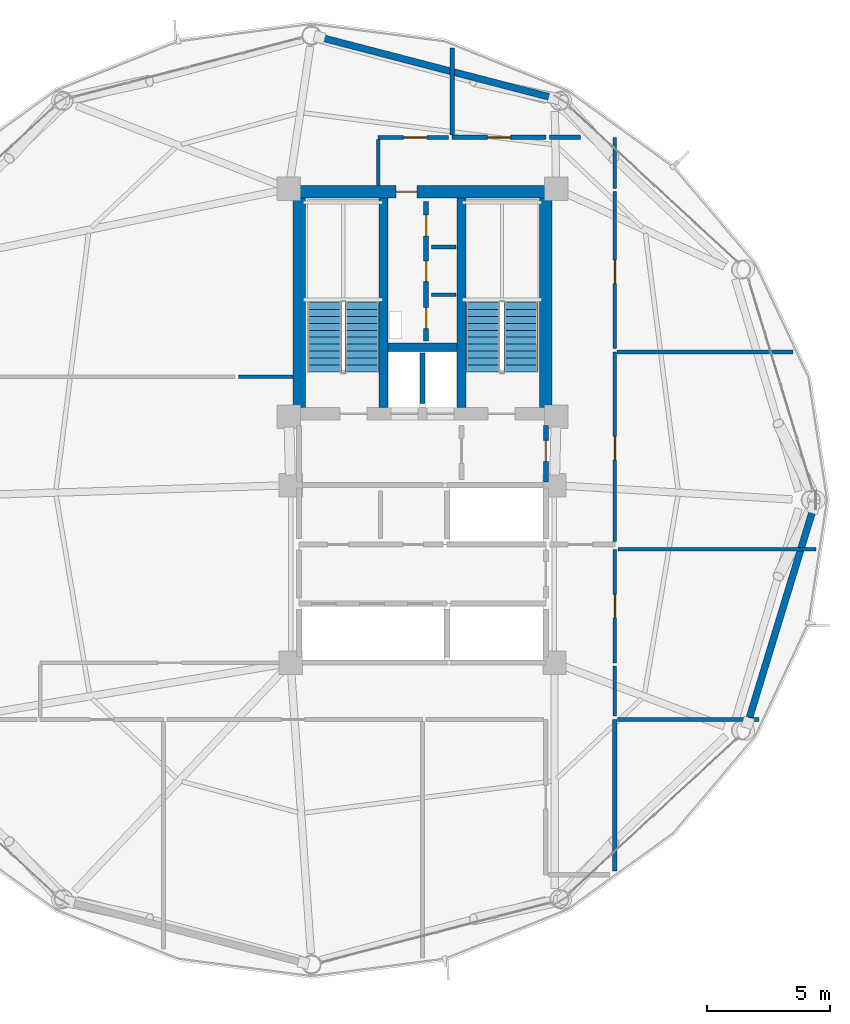
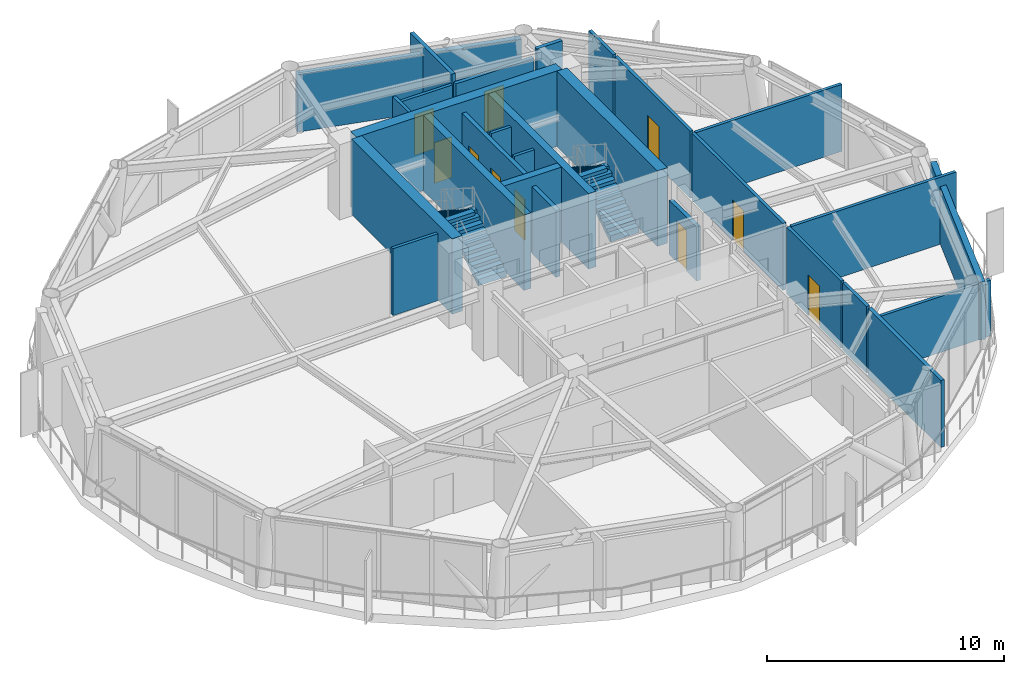
# One storey, part 22 of 26: 28 walls, 10 doors, 4 stair flights, 10 openings, 2 elements without a shape of their own.
"""IFC4 building model written with IfcOpenShell, lengths in metres."""

from ifc_helpers import new_model, si_unit, direction, frame, frame_2d, origin, place, context, subcontext, project, spatial, polyline, rectangle, outline, extrude, material, layer, layer_set, type_object, element, fill, aggregate, save


model = new_model("IFC4")

# Units and contexts
model_context = context("Model", 3, precision=1e-05, world=origin(), true_north=direction((0.0, 1.0)))
body_context = subcontext(model_context, "Body", "Model", "MODEL_VIEW")
ifc_project = project(units=[si_unit("LENGTHUNIT", "METRE"), si_unit("AREAUNIT", "SQUARE_METRE"), si_unit("VOLUMEUNIT", "CUBIC_METRE"), si_unit("PLANEANGLEUNIT", "RADIAN"), si_unit("MASSUNIT", "GRAM", prefix="KILO")], contexts=[model_context])

# Site, building, storey
site_placement = place(None, origin())
site = spatial("IfcSite", under=ifc_project, at=site_placement, CompositionType="ELEMENT")
building_placement = place(site_placement, origin())
building = spatial("IfcBuilding", under=site, at=building_placement, Name="Varnakorn Sky Granary", CompositionType="ELEMENT")
storey_placement = place(building_placement, frame((0.0, 0.0, 169.5)))
storey = spatial("IfcBuildingStorey", under=building, at=storey_placement, Name="L42", CompositionType="ELEMENT", Elevation=169.5)

# Walls
ifc_material_1 = material(Name="Concrete C50/60", Category="concrete")
ifc_layer_1 = layer(ifc_material_1, 0.35009765625, Name="Concrete C50/60")
ifc_layer_set_1 = layer_set([ifc_layer_1], Name="Concrete C50/60")
wall_type_1 = type_object("IfcWallType", Name="WT-CW-INT-350", PredefinedType="SHEAR", material=ifc_layer_set_1)
for number, where, z_axis, x_axis, name in (
    (1, (1.419921875, 3.760009765625, 0.0), (0.0, 0.0, 1.0), (0.0, 1.0, 0.0), "Stair ST-1 Core Wall L42"),
    (2, (4.580078125, 3.760009765625, 0.0), (0.0, 0.0, 1.0), (0.0, 1.0, 0.0), "Stair ST-2 Core Wall L42"),
):
    element("IfcWall", number, at=place(storey_placement, frame(where, z_axis=z_axis, x_axis=x_axis)), inside=storey, type_object=wall_type_1, Name=name, PredefinedType="SHEAR", context=body_context, shape_type="SweptSolid", body=[
        extrude(rectangle(XDim=8.47998046875, YDim=0.35009765625, at=frame_2d((4.239990234375, 0.0))), origin(), (0.0, 0.0, 1.0), 3.89208984375),
    ])
wall_1_placement = place(storey_placement, frame((1.610107421875, 6.199951171875, 0.0), z_axis=(0.0, 0.0, 1.0), x_axis=(1.0, 0.0, 0.0)))
element("IfcWall", 3, at=wall_1_placement, inside=storey, type_object=wall_type_1, Name="Core Lift Shaft Cross Wall L42", PredefinedType="SHEAR", context=body_context, shape_type="SweptSolid", body=[
    extrude(rectangle(XDim=2.77978515625, YDim=0.35009765625, at=frame_2d((1.389892578125, 0.0))), origin(), (0.0, 0.0, 1.0), 3.89208984375),
])

# Wall, opening, door
ifc_material_2 = material(Name="Concrete C60/75", Category="concrete")
ifc_layer_2 = layer(ifc_material_2, 0.5, Name="Concrete C60/75")
ifc_layer_set_2 = layer_set([ifc_layer_2], Name="Concrete C60/75")
wall_type_2 = type_object("IfcWallType", Name="WT-CW-SHEAR-500", PredefinedType="SHEAR", material=ifc_layer_set_2)
wall_2_placement = place(storey_placement, frame((-2.0, 12.5, 0.0), z_axis=(0.0, 0.0, 1.0), x_axis=(1.0, 0.0, 0.0)))
wall_2 = element("IfcWall", 4, at=wall_2_placement, inside=storey, type_object=wall_type_2, Name="Core North Shear Wall L42", PredefinedType="SHEAR", context=body_context, shape_type="SweptSolid", body=[
    extrude(rectangle(XDim=10.0, YDim=0.5, at=frame_2d((5.0, 0.0))), origin(), (0.0, 0.0, 1.0), 3.89208984375),
])
opening_1_placement = place(wall_2_placement, frame((3.919921875, 0.0, 0.0)))
opening_1 = element("IfcOpeningElement", 5, at=opening_1_placement, cuts=wall_2, Name="Opening FD-60N", PredefinedType="OPENING", context=body_context, shape_type="SweptSolid", body=[
    extrude(rectangle(XDim=0.85009765625, YDim=2.10009765625, at=frame_2d((0.425048828125, 1.050048828125))), frame((0.0, 0.260009765625, 0.0), z_axis=(0.0, -1.0, 0.0), x_axis=(1.0, 0.0, 0.0)), (0.0, 0.0, 1.0), 0.52001953125),
])
ifc_material_3 = material(Name="Acoustic Timber Fire Leaf", Category="wood")
door_type_1 = type_object("IfcDoorType", Name="DR-FD60-850", OperationType="NOTDEFINED", PredefinedType="DOOR", material=ifc_material_3)
door_1_placement = place(opening_1_placement, origin())
door_1 = element("IfcDoor", 6, at=door_1_placement, inside=storey, type_object=door_type_1, Name="Core North Service Door L42", OperationType="SINGLE_SWING_RIGHT", OverallHeight=2.10009765625, OverallWidth=0.85009765625, PredefinedType="DOOR", context=body_context, shape_type="SweptSolid", body=[
    extrude(rectangle(XDim=0.85009765625, YDim=2.10009765625, at=frame_2d((0.425048828125, 1.050048828125))), frame((0.0, 0.02490234375, 0.0), z_axis=(0.0, -1.0, 0.0), x_axis=(1.0, 0.0, 0.0)), (0.0, 0.0, 1.0), 0.050048828125),
])
fill(opening_1, door_1)

# Walls
for number, where, z_axis, x_axis, name in (
    (7, (-2.0, 3.760009765625, 0.0), (0.0, 0.0, 1.0), (0.0, 1.0, 0.0), "Core West Shear Wall L42"),
    (8, (8.0, 3.760009765625, 0.0), (0.0, 0.0, 1.0), (0.0, 1.0, 0.0), "Core East Shear Wall L42"),
):
    element("IfcWall", number, at=place(storey_placement, frame(where, z_axis=z_axis, x_axis=x_axis)), inside=storey, type_object=wall_type_2, Name=name, PredefinedType="SHEAR", context=body_context, shape_type="SweptSolid", body=[
        extrude(rectangle(XDim=8.47998046875, YDim=0.5, at=frame_2d((4.239990234375, 0.0))), origin(), (0.0, 0.0, 1.0), 3.89208984375),
    ])
ifc_material_4 = material(Name="Precast concrete C40/50", Category="concrete")
ifc_layer_3 = layer(ifc_material_4, 0.280029296875, Name="Precast concrete C40/50")
ifc_layer_set_3 = layer_set([ifc_layer_3], Name="Precast concrete C40/50")
wall_type_3 = type_object("IfcWallType", Name="WT-EW-CRN-280", PredefinedType="SOLIDWALL", material=ifc_layer_set_3)
wall_3_placement = place(storey_placement, frame((-1.1748046875, 18.765380859375, 0.0), z_axis=(0.0, 0.0, 1.0), x_axis=(0.96779017815, -0.2517581599, 0.0)))
element("IfcWall", 9, at=wall_3_placement, inside=storey, type_object=wall_type_3, Name="Agritech Insulated Precast Facade Wall L42-P03", PredefinedType="SOLIDWALL", context=body_context, shape_type="SweptSolid", body=[
    extrude(rectangle(XDim=9.823486328125, YDim=0.280029296875, at=frame_2d((4.91162109375, 0.0))), origin(), (0.0, 0.0, 1.0), 2.969970703125),
])
wall_4_placement = place(storey_placement, frame((18.851806640625, -0.3212890625, 0.0), z_axis=(0.0, 0.0, 1.0), x_axis=(-0.291970745692, -0.956427249539, 0.0)))
element("IfcWall", 10, at=wall_4_placement, inside=storey, type_object=wall_type_3, Name="Agritech Insulated Precast Facade Wall L42-P12", PredefinedType="SOLIDWALL", context=body_context, shape_type="SweptSolid", body=[
    extrude(rectangle(XDim=9.11181640625, YDim=0.280029296875, at=frame_2d((4.555908203125, 0.0))), origin(), (0.0, 0.0, 1.0), 2.969970703125),
])

# Wall, openings, doors
ifc_material_5 = material(Name="Autoclaved Aerated Concrete Blockwork", Category="masonry")
ifc_layer_4 = layer(ifc_material_5, 0.199951171875, Name="Autoclaved Aerated Concrete Blockwork")
ifc_layer_set_4 = layer_set([ifc_layer_4], Name="Autoclaved Aerated Concrete Blockwork")
wall_type_4 = type_object("IfcWallType", Name="WT-FIRE-200", PredefinedType="MOVABLE", material=ifc_layer_set_4)
wall_5_placement = place(storey_placement, frame((3.14990234375, 6.449951171875, 0.0), z_axis=(0.0, 0.0, 1.0), x_axis=(0.0, 1.0, 0.0)))
wall_5 = element("IfcWall", 11, at=wall_5_placement, inside=storey, type_object=wall_type_4, Name="Interior Partition Wall L42-013", PredefinedType="MOVABLE", context=body_context, shape_type="SweptSolid", body=[
    extrude(rectangle(XDim=5.650146484375, YDim=0.199951171875, at=frame_2d((2.8251953125, 0.0))), origin(), (0.0, 0.0, 1.0), 3.449951171875),
])
opening_2_placement = place(wall_5_placement, frame((0.5, 0.0, 0.0)))
opening_2 = element("IfcOpeningElement", 12, at=opening_2_placement, cuts=wall_5, Name="Opening FD-60N", PredefinedType="OPENING", context=body_context, shape_type="SweptSolid", body=[
    extrude(rectangle(XDim=0.85009765625, YDim=2.10009765625, at=frame_2d((0.425048828125, 1.050048828125))), frame((0.0, 0.10986328125, 0.0), z_axis=(0.0, -1.0, 0.0), x_axis=(1.0, 0.0, 0.0)), (0.0, 0.0, 1.0), 0.219970703125),
])
opening_3_placement = place(wall_5_placement, frame((2.39990234375, 0.0, 0.0)))
opening_3 = element("IfcOpeningElement", 13, at=opening_3_placement, cuts=wall_5, Name="Opening FD-60N", PredefinedType="OPENING", context=body_context, shape_type="SweptSolid", body=[
    extrude(rectangle(XDim=0.85009765625, YDim=2.10009765625, at=frame_2d((0.425048828125, 1.050048828125))), frame((0.0, 0.10986328125, 0.0), z_axis=(0.0, -1.0, 0.0), x_axis=(1.0, 0.0, 0.0)), (0.0, 0.0, 1.0), 0.219970703125),
])
opening_4_placement = place(wall_5_placement, frame((4.25, 0.0, 0.0)))
opening_4 = element("IfcOpeningElement", 14, at=opening_4_placement, cuts=wall_5, Name="Opening FD-60N", PredefinedType="OPENING", context=body_context, shape_type="SweptSolid", body=[
    extrude(rectangle(XDim=0.85009765625, YDim=2.10009765625, at=frame_2d((0.425048828125, 1.050048828125))), frame((0.0, 0.10986328125, 0.0), z_axis=(0.0, -1.0, 0.0), x_axis=(1.0, 0.0, 0.0)), (0.0, 0.0, 1.0), 0.219970703125),
])
door_2_placement = place(opening_2_placement, origin())
door_2 = element("IfcDoor", 15, at=door_2_placement, inside=storey, type_object=door_type_1, Name="Interior Door L42-013-1", OperationType="SINGLE_SWING_RIGHT", OverallHeight=2.10009765625, OverallWidth=0.85009765625, PredefinedType="DOOR", context=body_context, shape_type="SweptSolid", body=[
    extrude(rectangle(XDim=0.85009765625, YDim=2.10009765625, at=frame_2d((0.425048828125, 1.050048828125))), frame((0.0, 0.02490234375, 0.0), z_axis=(0.0, -1.0, 0.0), x_axis=(1.0, 0.0, 0.0)), (0.0, 0.0, 1.0), 0.050048828125),
])
fill(opening_2, door_2)
door_3_placement = place(opening_3_placement, origin())
door_3 = element("IfcDoor", 16, at=door_3_placement, inside=storey, type_object=door_type_1, Name="Interior Door L42-013-2", OperationType="SINGLE_SWING_LEFT", OverallHeight=2.10009765625, OverallWidth=0.85009765625, PredefinedType="DOOR", context=body_context, shape_type="SweptSolid", body=[
    extrude(rectangle(XDim=0.85009765625, YDim=2.10009765625, at=frame_2d((0.425048828125, 1.050048828125))), frame((0.0, 0.02490234375, 0.0), z_axis=(0.0, -1.0, 0.0), x_axis=(1.0, 0.0, 0.0)), (0.0, 0.0, 1.0), 0.050048828125),
])
fill(opening_3, door_3)
door_4_placement = place(opening_4_placement, origin())
door_4 = element("IfcDoor", 17, at=door_4_placement, inside=storey, type_object=door_type_1, Name="Interior Door L42-013-3", OperationType="SINGLE_SWING_RIGHT", OverallHeight=2.10009765625, OverallWidth=0.85009765625, PredefinedType="DOOR", context=body_context, shape_type="SweptSolid", body=[
    extrude(rectangle(XDim=0.85009765625, YDim=2.10009765625, at=frame_2d((0.425048828125, 1.050048828125))), frame((0.0, 0.02490234375, 0.0), z_axis=(0.0, -1.0, 0.0), x_axis=(1.0, 0.0, 0.0)), (0.0, 0.0, 1.0), 0.050048828125),
])
fill(opening_4, door_4)

# Wall, opening, door
wall_6_placement = place(storey_placement, frame((8.0, 0.719970703125, 0.0), z_axis=(0.0, 0.0, 1.0), x_axis=(0.0, 1.0, 0.0)))
wall_6 = element("IfcWall", 18, at=wall_6_placement, inside=storey, type_object=wall_type_4, Name="Interior Partition Wall L42-015", PredefinedType="MOVABLE", context=body_context, shape_type="SweptSolid", body=[
    extrude(rectangle(XDim=2.300048828125, YDim=0.199951171875, at=frame_2d((1.14990234375, 0.0))), origin(), (0.0, 0.0, 1.0), 2.781982421875),
])
opening_5_placement = place(wall_6_placement, frame((0.844970703125, 0.0, 0.0)))
opening_5 = element("IfcOpeningElement", 19, at=opening_5_placement, cuts=wall_6, Name="Opening FD-60N", PredefinedType="OPENING", context=body_context, shape_type="SweptSolid", body=[
    extrude(rectangle(XDim=0.85009765625, YDim=2.10009765625, at=frame_2d((0.425048828125, 1.050048828125))), frame((0.0, 0.10986328125, 0.0), z_axis=(0.0, -1.0, 0.0), x_axis=(1.0, 0.0, 0.0)), (0.0, 0.0, 1.0), 0.219970703125),
])
door_5_placement = place(opening_5_placement, origin())
door_5 = element("IfcDoor", 20, at=door_5_placement, inside=storey, type_object=door_type_1, Name="Interior Door L42-015-1", OperationType="SINGLE_SWING_RIGHT", OverallHeight=2.10009765625, OverallWidth=0.85009765625, PredefinedType="DOOR", context=body_context, shape_type="SweptSolid", body=[
    extrude(rectangle(XDim=0.85009765625, YDim=2.10009765625, at=frame_2d((0.425048828125, 1.050048828125))), frame((0.0, 0.02490234375, 0.0), z_axis=(0.0, -1.0, 0.0), x_axis=(1.0, 0.0, 0.0)), (0.0, 0.0, 1.0), 0.050048828125),
])
fill(opening_5, door_5)

ifc_material_6 = material(Name="Gypsum Plasterboard on Steel Stud", Category="steel")
ifc_layer_5 = layer(ifc_material_6, 0.14990234375, Name="Gypsum Plasterboard on Steel Stud")
ifc_layer_set_5 = layer_set([ifc_layer_5], Name="Gypsum Plasterboard on Steel Stud")
wall_type_5 = type_object("IfcWallType", Name="WT-PART-150", PredefinedType="PARTITIONING", material=ifc_layer_set_5)
wall_7_placement = place(storey_placement, frame((4.050048828125, 14.699951171875, 0.0), z_axis=(0.0, 0.0, 1.0), x_axis=(-1.0, 0.0, 0.0)))
wall_7 = element("IfcWall", 21, at=wall_7_placement, inside=storey, type_object=wall_type_5, Name="Interior Partition Wall L42-024", PredefinedType="PARTITIONING", context=body_context, shape_type="SweptSolid", body=[
    extrude(rectangle(XDim=2.85009765625, YDim=0.14990234375, at=frame_2d((1.425048828125, 0.0))), origin(), (0.0, 0.0, 1.0), 3.031982421875),
])
opening_6_placement = place(wall_7_placement, frame((0.875, 0.0, 0.0)))
opening_6 = element("IfcOpeningElement", 22, at=opening_6_placement, cuts=wall_7, Name="Opening ID-95", PredefinedType="OPENING", context=body_context, shape_type="SweptSolid", body=[
    extrude(rectangle(XDim=0.949951171875, YDim=2.10009765625, at=frame_2d((0.47509765625, 1.050048828125))), frame((0.0, 0.0849609375, 0.0), z_axis=(0.0, -1.0, 0.0), x_axis=(1.0, 0.0, 0.0)), (0.0, 0.0, 1.0), 0.169921875),
])
ifc_material_7 = material(Name="Solid-Core Teak Veneer Leaf", Category="timber")
door_type_2 = type_object("IfcDoorType", Name="DR-INT-950", OperationType="NOTDEFINED", PredefinedType="DOOR", material=ifc_material_7)
door_6_placement = place(opening_6_placement, origin())
door_6 = element("IfcDoor", 23, at=door_6_placement, inside=storey, type_object=door_type_2, Name="Interior Door L42-024-1", OperationType="SINGLE_SWING_RIGHT", OverallHeight=2.10009765625, OverallWidth=0.949951171875, PredefinedType="DOOR", context=body_context, shape_type="SweptSolid", body=[
    extrude(rectangle(XDim=0.949951171875, YDim=2.10009765625, at=frame_2d((0.47509765625, 1.050048828125))), frame((0.0, 0.02490234375, 0.0), z_axis=(0.0, -1.0, 0.0), x_axis=(1.0, 0.0, 0.0)), (0.0, 0.0, 1.0), 0.050048828125),
])
fill(opening_6, door_6)

wall_8_placement = place(storey_placement, frame((10.800048828125, -6.60009765625, 0.0), z_axis=(0.0, 0.0, 1.0), x_axis=(0.0, 1.0, 0.0)))
wall_8 = element("IfcWall", 24, at=wall_8_placement, inside=storey, type_object=wall_type_5, Name="Interior Partition Wall L42-025", PredefinedType="PARTITIONING", context=body_context, shape_type="SweptSolid", body=[
    extrude(rectangle(XDim=4.60009765625, YDim=0.14990234375, at=frame_2d((2.300048828125, 0.0))), origin(), (0.0, 0.0, 1.0), 3.449951171875),
])
opening_7_placement = place(wall_8_placement, frame((1.824951171875, 0.0, 0.0)))
opening_7 = element("IfcOpeningElement", 25, at=opening_7_placement, cuts=wall_8, Name="Opening ID-95", PredefinedType="OPENING", context=body_context, shape_type="SweptSolid", body=[
    extrude(rectangle(XDim=0.949951171875, YDim=2.10009765625, at=frame_2d((0.47509765625, 1.050048828125))), frame((0.0, 0.0849609375, 0.0), z_axis=(0.0, -1.0, 0.0), x_axis=(1.0, 0.0, 0.0)), (0.0, 0.0, 1.0), 0.169921875),
])
door_7_placement = place(opening_7_placement, origin())
door_7 = element("IfcDoor", 26, at=door_7_placement, inside=storey, type_object=door_type_2, Name="Interior Door L42-025-1", OperationType="SINGLE_SWING_LEFT", OverallHeight=2.10009765625, OverallWidth=0.949951171875, PredefinedType="DOOR", context=body_context, shape_type="SweptSolid", body=[
    extrude(rectangle(XDim=0.949951171875, YDim=2.10009765625, at=frame_2d((0.47509765625, 1.050048828125))), frame((0.0, 0.02490234375, 0.0), z_axis=(0.0, -1.0, 0.0), x_axis=(1.0, 0.0, 0.0)), (0.0, 0.0, 1.0), 0.050048828125),
])
fill(opening_7, door_7)

wall_9_placement = place(storey_placement, frame((10.800048828125, -1.68994140625, 0.0), z_axis=(0.0, 0.0, 1.0), x_axis=(0.0, 1.0, 0.0)))
wall_9 = element("IfcWall", 27, at=wall_9_placement, inside=storey, type_object=wall_type_5, Name="Interior Partition Wall L42-026", PredefinedType="PARTITIONING", context=body_context, shape_type="SweptSolid", body=[
    extrude(rectangle(XDim=7.68994140625, YDim=0.14990234375, at=frame_2d((3.844970703125, 0.0))), origin(), (0.0, 0.0, 1.0), 3.449951171875),
])
opening_8_placement = place(wall_9_placement, frame((3.31494140625, 0.0, 0.0)))
opening_8 = element("IfcOpeningElement", 28, at=opening_8_placement, cuts=wall_9, Name="Opening ID-95", PredefinedType="OPENING", context=body_context, shape_type="SweptSolid", body=[
    extrude(rectangle(XDim=0.949951171875, YDim=2.10009765625, at=frame_2d((0.47509765625, 1.050048828125))), frame((0.0, 0.0849609375, 0.0), z_axis=(0.0, -1.0, 0.0), x_axis=(1.0, 0.0, 0.0)), (0.0, 0.0, 1.0), 0.169921875),
])
door_8_placement = place(opening_8_placement, origin())
door_8 = element("IfcDoor", 29, at=door_8_placement, inside=storey, type_object=door_type_2, Name="Interior Door L42-026-1", OperationType="SINGLE_SWING_RIGHT", OverallHeight=2.10009765625, OverallWidth=0.949951171875, PredefinedType="DOOR", context=body_context, shape_type="SweptSolid", body=[
    extrude(rectangle(XDim=0.949951171875, YDim=2.10009765625, at=frame_2d((0.47509765625, 1.050048828125))), frame((0.0, 0.02490234375, 0.0), z_axis=(0.0, -1.0, 0.0), x_axis=(1.0, 0.0, 0.0)), (0.0, 0.0, 1.0), 0.050048828125),
])
fill(opening_8, door_8)

wall_10_placement = place(storey_placement, frame((10.800048828125, 6.135009765625, 0.0), z_axis=(0.0, 0.0, 1.0), x_axis=(0.0, 1.0, 0.0)))
wall_10 = element("IfcWall", 30, at=wall_10_placement, inside=storey, type_object=wall_type_5, Name="Interior Partition Wall L42-027", PredefinedType="PARTITIONING", context=body_context, shape_type="SweptSolid", body=[
    extrude(rectangle(XDim=6.364990234375, YDim=0.14990234375, at=frame_2d((3.1826171875, 0.0))), origin(), (0.0, 0.0, 1.0), 3.449951171875),
])
opening_9_placement = place(wall_10_placement, frame((2.639892578125, 0.0, 0.0)))
opening_9 = element("IfcOpeningElement", 31, at=opening_9_placement, cuts=wall_10, Name="Opening ID-95", PredefinedType="OPENING", context=body_context, shape_type="SweptSolid", body=[
    extrude(rectangle(XDim=0.949951171875, YDim=2.10009765625, at=frame_2d((0.47509765625, 1.050048828125))), frame((0.0, 0.0849609375, 0.0), z_axis=(0.0, -1.0, 0.0), x_axis=(1.0, 0.0, 0.0)), (0.0, 0.0, 1.0), 0.169921875),
])
door_9_placement = place(opening_9_placement, origin())
door_9 = element("IfcDoor", 32, at=door_9_placement, inside=storey, type_object=door_type_2, Name="Interior Door L42-027-1", OperationType="SINGLE_SWING_LEFT", OverallHeight=2.10009765625, OverallWidth=0.949951171875, PredefinedType="DOOR", context=body_context, shape_type="SweptSolid", body=[
    extrude(rectangle(XDim=0.949951171875, YDim=2.10009765625, at=frame_2d((0.47509765625, 1.050048828125))), frame((0.0, 0.02490234375, 0.0), z_axis=(0.0, -1.0, 0.0), x_axis=(1.0, 0.0, 0.0)), (0.0, 0.0, 1.0), 0.050048828125),
])
fill(opening_9, door_9)

# Walls
for number, where, z_axis, x_axis, name in (
    (33, (3.3701171875, 8.320068359375, 0.0), (0.0, 0.0, 1.0), (1.0, 0.0, 0.0), "Interior Partition Wall L42-028"),
    (34, (3.3701171875, 10.260009765625, 0.0), (0.0, 0.0, 1.0), (1.0, 0.0, 0.0), "Interior Partition Wall L42-029"),
):
    element("IfcWall", number, at=place(storey_placement, frame(where, z_axis=z_axis, x_axis=x_axis)), inside=storey, type_object=wall_type_5, Name=name, PredefinedType="PARTITIONING", context=body_context, shape_type="SweptSolid", body=[
        extrude(rectangle(XDim=0.97998046875, YDim=0.14990234375, at=frame_2d((0.489990234375, 0.0))), origin(), (0.0, 0.0, 1.0), 3.449951171875),
    ])
wall_11_placement = place(storey_placement, frame((10.89990234375, -8.89990234375, 0.0), z_axis=(0.0, 0.0, 1.0), x_axis=(1.0, 0.0, 0.0)))
element("IfcWall", 35, at=wall_11_placement, inside=storey, type_object=wall_type_5, Name="Interior Partition Wall L42-043", PredefinedType="PARTITIONING", context=body_context, shape_type="SweptSolid", body=[
    extrude(rectangle(XDim=5.75, YDim=0.14990234375, at=frame_2d((2.875, 0.0))), origin(), (0.0, 0.0, 1.0), 2.882080078125),
])
wall_12_placement = place(storey_placement, frame((-4.465087890625, 5.0, 0.0), z_axis=(0.0, 0.0, 1.0), x_axis=(1.0, 0.0, 0.0)))
element("IfcWall", 36, at=wall_12_placement, inside=storey, type_object=wall_type_5, Name="Interior Partition Wall L42-046", PredefinedType="PARTITIONING", context=body_context, shape_type="SweptSolid", body=[
    extrude(rectangle(XDim=2.205078125, YDim=0.14990234375, at=frame_2d((1.1025390625, 0.0))), origin(), (0.0, 0.0, 1.0), 3.449951171875),
])
wall_13_placement = place(storey_placement, frame((1.199951171875, 14.614990234375, 0.0), z_axis=(0.0, 0.0, 1.0), x_axis=(0.0, -1.0, 0.0)))
element("IfcWall", 37, at=wall_13_placement, inside=storey, type_object=wall_type_5, Name="Interior Partition Wall L42-047", PredefinedType="PARTITIONING", context=body_context, shape_type="SweptSolid", body=[
    extrude(rectangle(XDim=1.85498046875, YDim=0.14990234375, at=frame_2d((0.927490234375, 0.0))), origin(), (0.0, 0.0, 1.0), 3.449951171875),
])
wall_14_placement = place(storey_placement, frame((10.800048828125, -8.75, 0.0), z_axis=(0.0, 0.0, 1.0), x_axis=(0.0, 1.0, 0.0)))
element("IfcWall", 38, at=wall_14_placement, inside=storey, type_object=wall_type_5, Name="Interior Partition Wall L42-049", PredefinedType="PARTITIONING", context=body_context, shape_type="SweptSolid", body=[
    extrude(rectangle(XDim=2.014892578125, YDim=0.14990234375, at=frame_2d((1.00732421875, 0.0))), origin(), (0.0, 0.0, 1.0), 3.449951171875),
])
wall_15_placement = place(storey_placement, frame((10.93505859375, -2.0, 0.0), z_axis=(0.0, 0.0, 1.0), x_axis=(1.0, 0.0, 0.0)))
element("IfcWall", 39, at=wall_15_placement, inside=storey, type_object=wall_type_5, Name="Interior Partition Wall L42-050", PredefinedType="PARTITIONING", context=body_context, shape_type="SweptSolid", body=[
    extrude(rectangle(XDim=8.02099609375, YDim=0.14990234375, at=frame_2d((4.010498046875, 0.0))), origin(), (0.0, 0.0, 1.0), 3.449951171875),
])
wall_16_placement = place(storey_placement, frame((10.885009765625, 6.0, 0.0), z_axis=(0.0, 0.0, 1.0), x_axis=(1.0, 0.0, 0.0)))
element("IfcWall", 40, at=wall_16_placement, inside=storey, type_object=wall_type_5, Name="Interior Partition Wall L42-051", PredefinedType="PARTITIONING", context=body_context, shape_type="SweptSolid", body=[
    extrude(rectangle(XDim=7.12890625, YDim=0.14990234375, at=frame_2d((3.564453125, 0.0))), origin(), (0.0, 0.0, 1.0), 3.449951171875),
])
wall_17_placement = place(storey_placement, frame((10.800048828125, 12.635009765625, 0.0), z_axis=(0.0, 0.0, 1.0), x_axis=(0.0, 1.0, 0.0)))
element("IfcWall", 41, at=wall_17_placement, inside=storey, type_object=wall_type_5, Name="Interior Partition Wall L42-052", PredefinedType="PARTITIONING", context=body_context, shape_type="SweptSolid", body=[
    extrude(rectangle(XDim=2.06494140625, YDim=0.14990234375, at=frame_2d((1.032470703125, 0.0))), origin(), (0.0, 0.0, 1.0), 3.449951171875),
])

# Wall, opening, door
ifc_material_8 = material(Name="Moisture-Resistant Gypsum on Stud", Category="gypsum")
ifc_layer_6 = layer(ifc_material_8, 0.179931640625, Name="Moisture-Resistant Gypsum on Stud")
ifc_layer_set_6 = layer_set([ifc_layer_6], Name="Moisture-Resistant Gypsum on Stud")
wall_type_6 = type_object("IfcWallType", Name="WT-PLUMB-180", PredefinedType="PLUMBINGWALL", material=ifc_layer_set_6)
wall_18_placement = place(storey_placement, frame((8.0, 14.699951171875, 0.0), z_axis=(0.0, 0.0, 1.0), x_axis=(-1.0, 0.0, 0.0)))
wall_18 = element("IfcWall", 42, at=wall_18_placement, inside=storey, type_object=wall_type_6, Name="Interior Partition Wall L42-019", PredefinedType="PLUMBINGWALL", context=body_context, shape_type="SweptSolid", body=[
    extrude(rectangle(XDim=3.800048828125, YDim=0.179931640625, at=frame_2d((1.89990234375, 0.0))), origin(), (0.0, 0.0, 1.0), 3.031982421875),
])
opening_10_placement = place(wall_18_placement, frame((1.425048828125, 0.0, 0.0)))
opening_10 = element("IfcOpeningElement", 43, at=opening_10_placement, cuts=wall_18, Name="Opening ID-95", PredefinedType="OPENING", context=body_context, shape_type="SweptSolid", body=[
    extrude(rectangle(XDim=0.949951171875, YDim=2.10009765625, at=frame_2d((0.47509765625, 1.050048828125))), frame((0.0, 0.10009765625, 0.0), z_axis=(0.0, -1.0, 0.0), x_axis=(1.0, 0.0, 0.0)), (0.0, 0.0, 1.0), 0.199951171875),
])
door_10_placement = place(opening_10_placement, origin())
door_10 = element("IfcDoor", 44, at=door_10_placement, inside=storey, type_object=door_type_2, Name="Interior Door L42-019-1", OperationType="SINGLE_SWING_LEFT", OverallHeight=2.10009765625, OverallWidth=0.949951171875, PredefinedType="DOOR", context=body_context, shape_type="SweptSolid", body=[
    extrude(rectangle(XDim=0.949951171875, YDim=2.10009765625, at=frame_2d((0.47509765625, 1.050048828125))), frame((0.0, 0.02490234375, 0.0), z_axis=(0.0, -1.0, 0.0), x_axis=(1.0, 0.0, 0.0)), (0.0, 0.0, 1.0), 0.050048828125),
])
fill(opening_10, door_10)

# Walls
wall_19_placement = place(storey_placement, frame((9.39990234375, 14.699951171875, 0.0), z_axis=(0.0, 0.0, 1.0), x_axis=(-1.0, 0.0, 0.0)))
element("IfcWall", 45, at=wall_19_placement, inside=storey, type_object=wall_type_6, Name="Interior Partition Wall L42-035", PredefinedType="PLUMBINGWALL", context=body_context, shape_type="SweptSolid", body=[
    extrude(rectangle(XDim=1.25, YDim=0.179931640625, at=frame_2d((0.625, 0.0))), origin(), (0.0, 0.0, 1.0), 3.449951171875),
])
wall_20_placement = place(storey_placement, frame((10.800048828125, -15.0439453125, 0.0), z_axis=(0.0, 0.0, 1.0), x_axis=(0.0, 1.0, 0.0)))
element("IfcWall", 46, at=wall_20_placement, inside=storey, type_object=wall_type_6, Name="Interior Partition Wall L42-040", PredefinedType="PLUMBINGWALL", context=body_context, shape_type="SweptSolid", body=[
    extrude(rectangle(XDim=6.14404296875, YDim=0.179931640625, at=frame_2d((3.072021484375, 0.0))), origin(), (0.0, 0.0, 1.0), 3.449951171875),
])
wall_21_placement = place(storey_placement, frame((4.199951171875, 18.327880859375, 0.0), z_axis=(0.0, 0.0, 1.0), x_axis=(0.0, -1.0, 0.0)))
element("IfcWall", 47, at=wall_21_placement, inside=storey, type_object=wall_type_6, Name="Interior Partition Wall L42-048", PredefinedType="PLUMBINGWALL", context=body_context, shape_type="SweptSolid", body=[
    extrude(rectangle(XDim=3.52783203125, YDim=0.179931640625, at=frame_2d((1.763916015625, 0.0))), origin(), (0.0, 0.0, 1.0), 3.449951171875),
])
ifc_layer_7 = layer(ifc_material_5, 0.199951171875, Name="Autoclaved Aerated Concrete Blockwork")
ifc_layer_set_7 = layer_set([ifc_layer_7], Name="Autoclaved Aerated Concrete Blockwork")
wall_type_7 = type_object("IfcWallType", Name="WT-SHAFT-200", PredefinedType="SOLIDWALL", material=ifc_layer_set_7)
wall_22_placement = place(storey_placement, frame((3.0, 3.919921875, 0.0), z_axis=(0.0, 0.0, 1.0), x_axis=(0.0, 1.0, 0.0)))
element("IfcWall", 48, at=wall_22_placement, inside=storey, type_object=wall_type_7, Name="Interior Partition Wall L42-001", PredefinedType="SOLIDWALL", context=body_context, shape_type="SweptSolid", body=[
    extrude(rectangle(XDim=2.030029296875, YDim=0.199951171875, at=frame_2d((1.01513671875, 0.0))), origin(), (0.0, 0.0, 1.0), 3.449951171875),
])

# Stair, stair flights
ifc_material_9 = material(Name="Concrete C40/50", Category="concrete")
stair_type = type_object("IfcStairType", Name="ST-MAIN-ASSEMBLY", PredefinedType="HALF_TURN_STAIR", material=ifc_material_9)
stair_1_placement = place(storey_placement, origin())
stair_1 = element("IfcStair", 49, at=stair_1_placement, inside=storey, type_object=stair_type, Name="L42 Protected Exit Stair ST-1", PredefinedType="HALF_TURN_STAIR")
stair_flight_type = type_object("IfcStairFlightType", Name="ST-MAIN-FLIGHT", PredefinedType="STRAIGHT", material=ifc_material_9)
stair_flight_1_placement = place(storey_placement, frame((0.550048828125, 5.199951171875, 0.0), z_axis=(0.0, 0.0, 1.0), x_axis=(0.0, 1.0, 0.0)))
stair_flight_1 = element("IfcStairFlight", 50, at=stair_flight_1_placement, type_object=stair_flight_type, Name="ST-1 flight 1", NumberOfRisers=11, NumberOfTreads=10, PredefinedType="STRAIGHT", RiserHeight=0.177272727, TreadLength=0.28, context=body_context, shape_type="SweptSolid", body=[
    extrude(outline(polyline([(0.0, -0.14990234375), (0.0, 0.0), (0.0, 0.17724609375), (0.280029296875, 0.17724609375), (0.280029296875, 0.3544921875), (0.56005859375, 0.3544921875), (0.56005859375, 0.53173828125), (0.840087890625, 0.53173828125), (0.840087890625, 0.708984375), (1.1201171875, 0.708984375), (1.1201171875, 0.886474609375), (1.39990234375, 0.886474609375), (1.39990234375, 1.063720703125), (1.679931640625, 1.063720703125), (1.679931640625, 1.240966796875), (1.9599609375, 1.240966796875), (1.9599609375, 1.418212890625), (2.239990234375, 1.418212890625), (2.239990234375, 1.595458984375), (2.52001953125, 1.595458984375), (2.52001953125, 1.772705078125), (2.800048828125, 1.772705078125), (2.800048828125, 1.949951171875), (2.800048828125, 1.59521484375), (0.050048828125, -0.14990234375), (0.0, -0.14990234375)])), frame((0.0, 0.68994140625, 0.0), z_axis=(0.0, -1.0, 0.0), x_axis=(1.0, 0.0, 0.0)), (0.0, 0.0, 1.0), 1.3798828125),
])
stair_flight_2_placement = place(storey_placement, frame((-0.97998046875, 8.0, 1.949951171875), z_axis=(0.0, 0.0, 1.0), x_axis=(0.0, -1.0, 0.0)))
stair_flight_2 = element("IfcStairFlight", 51, at=stair_flight_2_placement, type_object=stair_flight_type, Name="ST-1 flight 2", NumberOfRisers=11, NumberOfTreads=10, PredefinedType="STRAIGHT", RiserHeight=0.177272727, TreadLength=0.28, context=body_context, shape_type="SweptSolid", body=[
    extrude(outline(polyline([(0.0, -0.14990234375), (0.0, 0.0), (0.0, 0.17724609375), (0.280029296875, 0.17724609375), (0.280029296875, 0.3544921875), (0.56005859375, 0.3544921875), (0.56005859375, 0.53173828125), (0.840087890625, 0.53173828125), (0.840087890625, 0.708984375), (1.1201171875, 0.708984375), (1.1201171875, 0.886474609375), (1.39990234375, 0.886474609375), (1.39990234375, 1.063720703125), (1.679931640625, 1.063720703125), (1.679931640625, 1.240966796875), (1.9599609375, 1.240966796875), (1.9599609375, 1.418212890625), (2.239990234375, 1.418212890625), (2.239990234375, 1.595458984375), (2.52001953125, 1.595458984375), (2.52001953125, 1.772705078125), (2.800048828125, 1.772705078125), (2.800048828125, 1.949951171875), (2.800048828125, 1.59521484375), (0.050048828125, -0.14990234375), (0.0, -0.14990234375)])), frame((0.0, 0.68994140625, 0.0), z_axis=(0.0, -1.0, 0.0), x_axis=(1.0, 0.0, 0.0)), (0.0, 0.0, 1.0), 1.3798828125),
])
aggregate(stair_1, [stair_flight_1, stair_flight_2])

stair_2_placement = place(storey_placement, origin())
stair_2 = element("IfcStair", 52, at=stair_2_placement, inside=storey, type_object=stair_type, Name="L42 Protected Exit Stair ST-2", PredefinedType="HALF_TURN_STAIR")
stair_flight_3_placement = place(storey_placement, frame((6.989990234375, 5.199951171875, 0.0), z_axis=(0.0, 0.0, 1.0), x_axis=(0.0, 1.0, 0.0)))
stair_flight_3 = element("IfcStairFlight", 53, at=stair_flight_3_placement, type_object=stair_flight_type, Name="ST-2 flight 1", NumberOfRisers=11, NumberOfTreads=10, PredefinedType="STRAIGHT", RiserHeight=0.177272727, TreadLength=0.28, context=body_context, shape_type="SweptSolid", body=[
    extrude(outline(polyline([(0.0, -0.14990234375), (0.0, 0.0), (0.0, 0.17724609375), (0.280029296875, 0.17724609375), (0.280029296875, 0.3544921875), (0.56005859375, 0.3544921875), (0.56005859375, 0.53173828125), (0.840087890625, 0.53173828125), (0.840087890625, 0.708984375), (1.1201171875, 0.708984375), (1.1201171875, 0.886474609375), (1.39990234375, 0.886474609375), (1.39990234375, 1.063720703125), (1.679931640625, 1.063720703125), (1.679931640625, 1.240966796875), (1.9599609375, 1.240966796875), (1.9599609375, 1.418212890625), (2.239990234375, 1.418212890625), (2.239990234375, 1.595458984375), (2.52001953125, 1.595458984375), (2.52001953125, 1.772705078125), (2.800048828125, 1.772705078125), (2.800048828125, 1.949951171875), (2.800048828125, 1.59521484375), (0.050048828125, -0.14990234375), (0.0, -0.14990234375)])), frame((0.0, 0.68994140625, 0.0), z_axis=(0.0, -1.0, 0.0), x_axis=(1.0, 0.0, 0.0)), (0.0, 0.0, 1.0), 1.3798828125),
])
stair_flight_4_placement = place(storey_placement, frame((5.4599609375, 8.0, 1.949951171875), z_axis=(0.0, 0.0, 1.0), x_axis=(0.0, -1.0, 0.0)))
stair_flight_4 = element("IfcStairFlight", 54, at=stair_flight_4_placement, type_object=stair_flight_type, Name="ST-2 flight 2", NumberOfRisers=11, NumberOfTreads=10, PredefinedType="STRAIGHT", RiserHeight=0.177272727, TreadLength=0.28, context=body_context, shape_type="SweptSolid", body=[
    extrude(outline(polyline([(0.0, -0.14990234375), (0.0, 0.0), (0.0, 0.17724609375), (0.280029296875, 0.17724609375), (0.280029296875, 0.3544921875), (0.56005859375, 0.3544921875), (0.56005859375, 0.53173828125), (0.840087890625, 0.53173828125), (0.840087890625, 0.708984375), (1.1201171875, 0.708984375), (1.1201171875, 0.886474609375), (1.39990234375, 0.886474609375), (1.39990234375, 1.063720703125), (1.679931640625, 1.063720703125), (1.679931640625, 1.240966796875), (1.9599609375, 1.240966796875), (1.9599609375, 1.418212890625), (2.239990234375, 1.418212890625), (2.239990234375, 1.595458984375), (2.52001953125, 1.595458984375), (2.52001953125, 1.772705078125), (2.800048828125, 1.772705078125), (2.800048828125, 1.949951171875), (2.800048828125, 1.59521484375), (0.050048828125, -0.14990234375), (0.0, -0.14990234375)])), frame((0.0, 0.68994140625, 0.0), z_axis=(0.0, -1.0, 0.0), x_axis=(1.0, 0.0, 0.0)), (0.0, 0.0, 1.0), 1.3798828125),
])
aggregate(stair_2, [stair_flight_3, stair_flight_4])

save(model, "model.ifc")
